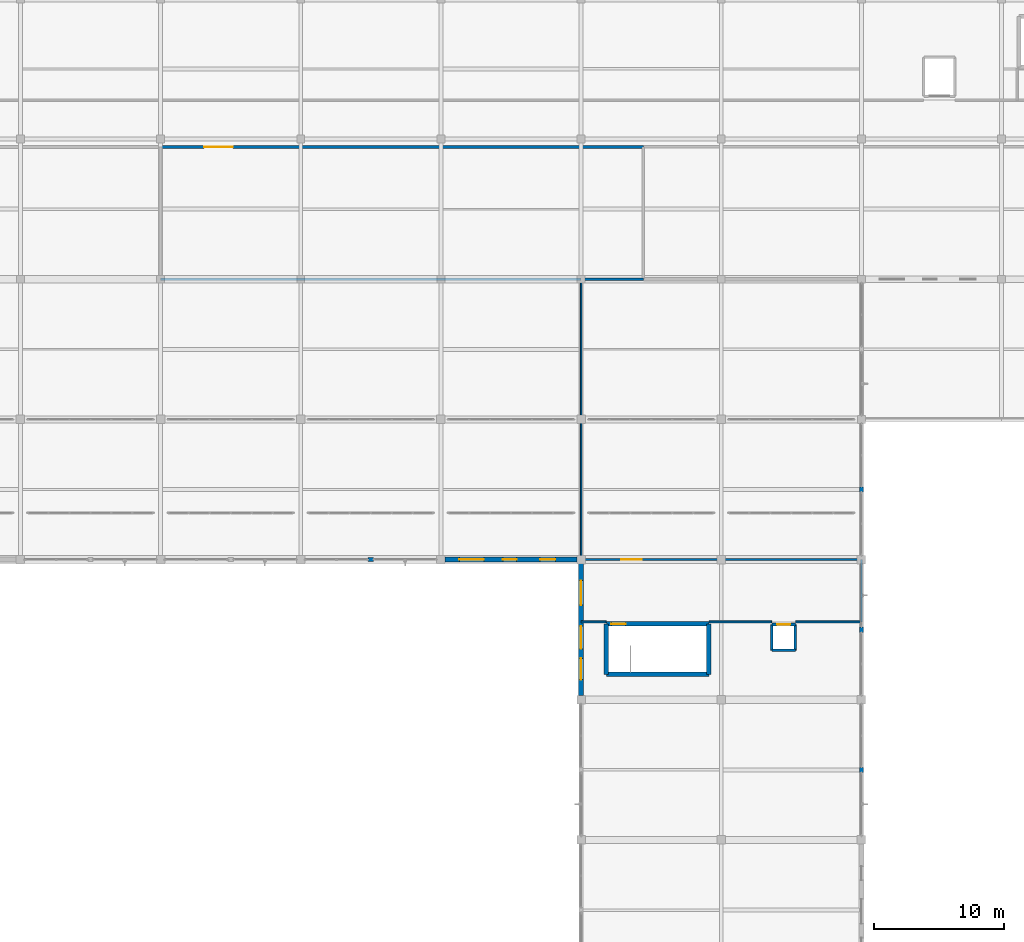
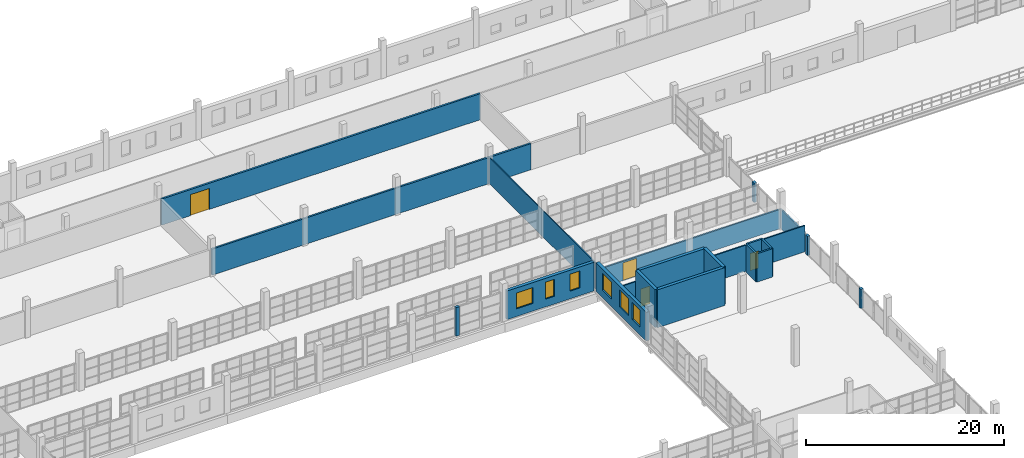
# One storey, part 114 of 142: 23 walls, 6 windows, 4 doors, 10 openings.
"""IFC4 building model written with IfcOpenShell, lengths in metres."""

from ifc_helpers import new_model, si_unit, direction, frame, frame_2d, origin, place, context, subcontext, project, spatial, rectangle, extrude, material, layer, layer_set, type_object, element, fill, save


model = new_model("IFC4")

# Units and contexts
model_context = context("Model", 3, precision=1e-05, world=origin(), true_north=direction((0.0, 1.0)))
body_context = subcontext(model_context, "Body", "Model", "MODEL_VIEW")
ifc_project = project(units=[si_unit("LENGTHUNIT", "METRE"), si_unit("AREAUNIT", "SQUARE_METRE"), si_unit("VOLUMEUNIT", "CUBIC_METRE"), si_unit("PLANEANGLEUNIT", "RADIAN"), si_unit("MASSUNIT", "GRAM", prefix="KILO")], contexts=[model_context])

# Site, building, storey
site_placement = place(None, origin())
site = spatial("IfcSite", under=ifc_project, at=site_placement, CompositionType="ELEMENT")
building_placement = place(site_placement, origin())
building = spatial("IfcBuilding", under=site, at=building_placement, Name="Zwinboog Wholesale Market", CompositionType="ELEMENT")
storey_placement = place(building_placement, frame((0.0, 0.0, 5.39990234375)))
storey = spatial("IfcBuildingStorey", under=building, at=storey_placement, Name="L01", CompositionType="ELEMENT", Elevation=5.39990234375)

# Wall, openings, windows
ifc_material_1 = material(Name="Precast concrete C45/55", Category="concrete")
ifc_layer_1 = layer(ifc_material_1, 0.3701171875)
ifc_layer_set_1 = layer_set([ifc_layer_1], Name="Precast concrete C45/55")
wall_type_1 = type_object("IfcWallType", Name="WT-EW-370", PredefinedType="STANDARD", material=ifc_layer_set_1)
wall_1_placement = place(storey_placement, frame((140.719970703125, 86.39990234375, 0.0), z_axis=(0.0, 0.0, 1.0), x_axis=(1.0, 0.0, 0.0)))
wall_1 = element("IfcWall", 1, at=wall_1_placement, inside=storey, type_object=wall_type_1, Name="EW-01 (WL-EW-L01-154)", PredefinedType="STANDARD", context=body_context, shape_type="SweptSolid", body=[
    extrude(rectangle(XDim=10.159912109375, YDim=0.3701171875, at=frame_2d((5.080078125, 0.0))), origin(), (0.0, 0.0, 1.0), 3.530029296875),
])
opening_1_placement = place(wall_1_placement, frame((1.10498046875, 0.0, 0.949951171875)))
opening_1 = element("IfcOpeningElement", 2, at=opening_1_placement, cuts=wall_1, Name="Opening WN-64", PredefinedType="OPENING", context=body_context, shape_type="SweptSolid", body=[
    extrude(rectangle(XDim=1.889892578125, YDim=1.949951171875, at=frame_2d((0.94482421875, 0.97509765625))), frame((0.0, 0.195068359375, 0.0), z_axis=(0.0, -1.0, 0.0), x_axis=(1.0, 0.0, 0.0)), (0.0, 0.0, 1.0), 0.39013671875),
])
opening_2_placement = place(wall_1_placement, frame((4.455078125, 0.0, 0.949951171875)))
opening_2 = element("IfcOpeningElement", 3, at=opening_2_placement, cuts=wall_1, Name="Opening WN-65", PredefinedType="OPENING", context=body_context, shape_type="SweptSolid", body=[
    extrude(rectangle(XDim=1.050048828125, YDim=2.10009765625, at=frame_2d((0.52490234375, 1.050048828125))), frame((0.0, 0.195068359375, 0.0), z_axis=(0.0, -1.0, 0.0), x_axis=(1.0, 0.0, 0.0)), (0.0, 0.0, 1.0), 0.39013671875),
])
opening_3_placement = place(wall_1_placement, frame((7.324951171875, 0.0, 0.949951171875)))
opening_3 = element("IfcOpeningElement", 4, at=opening_3_placement, cuts=wall_1, Name="Opening WN-66", PredefinedType="OPENING", context=body_context, shape_type="SweptSolid", body=[
    extrude(rectangle(XDim=1.169921875, YDim=2.10009765625, at=frame_2d((0.5849609375, 1.050048828125))), frame((0.0, 0.195068359375, 0.0), z_axis=(0.0, -1.0, 0.0), x_axis=(1.0, 0.0, 0.0)), (0.0, 0.0, 1.0), 0.39013671875),
])
ifc_material_2 = material(Name="Thermally broken aluminium low-e window", Category="aluminium")
window_type_1 = type_object("IfcWindowType", Name="WNT-64", PartitioningType="SINGLE_PANEL", PredefinedType="WINDOW", material=ifc_material_2)
window_1_placement = place(opening_1_placement, frame((1.889892578125, 0.0, 0.0), z_axis=(0.0, 0.0, 1.0), x_axis=(-1.0, 0.0, 0.0)))
window_1 = element("IfcWindow", 5, at=window_1_placement, inside=storey, type_object=window_type_1, Name="WN-64 (WIN-L01-0136)", OverallHeight=1.949951171875, OverallWidth=1.889892578125, PartitioningType="SINGLE_PANEL", PredefinedType="WINDOW", context=body_context, shape_type="SweptSolid", body=[
    extrude(rectangle(XDim=1.889892578125, YDim=1.949951171875, at=frame_2d((0.94482421875, 0.97509765625))), frame((0.0, 0.030029296875, 0.0), z_axis=(0.0, -1.0, 0.0), x_axis=(1.0, 0.0, 0.0)), (0.0, 0.0, 1.0), 0.06005859375),
])
fill(opening_1, window_1)
window_type_2 = type_object("IfcWindowType", Name="WNT-65", PartitioningType="SINGLE_PANEL", PredefinedType="WINDOW", material=ifc_material_2)
window_2_placement = place(opening_2_placement, frame((1.050048828125, 0.0, 0.0), z_axis=(0.0, 0.0, 1.0), x_axis=(-1.0, 0.0, 0.0)))
window_2 = element("IfcWindow", 6, at=window_2_placement, inside=storey, type_object=window_type_2, Name="WN-65 (WIN-L01-0137)", OverallHeight=2.10009765625, OverallWidth=1.050048828125, PartitioningType="SINGLE_PANEL", PredefinedType="WINDOW", context=body_context, shape_type="SweptSolid", body=[
    extrude(rectangle(XDim=1.050048828125, YDim=2.10009765625, at=frame_2d((0.52490234375, 1.050048828125))), frame((0.0, 0.030029296875, 0.0), z_axis=(0.0, -1.0, 0.0), x_axis=(1.0, 0.0, 0.0)), (0.0, 0.0, 1.0), 0.06005859375),
])
fill(opening_2, window_2)
window_type_3 = type_object("IfcWindowType", Name="WNT-66", PartitioningType="SINGLE_PANEL", PredefinedType="WINDOW", material=ifc_material_2)
window_3_placement = place(opening_3_placement, frame((1.169921875, 0.0, 0.0), z_axis=(0.0, 0.0, 1.0), x_axis=(-1.0, 0.0, 0.0)))
window_3 = element("IfcWindow", 7, at=window_3_placement, inside=storey, type_object=window_type_3, Name="WN-66 (WIN-L01-0138)", OverallHeight=2.10009765625, OverallWidth=1.169921875, PartitioningType="SINGLE_PANEL", PredefinedType="WINDOW", context=body_context, shape_type="SweptSolid", body=[
    extrude(rectangle(XDim=1.169921875, YDim=2.10009765625, at=frame_2d((0.5849609375, 1.050048828125))), frame((0.0, 0.030029296875, 0.0), z_axis=(0.0, -1.0, 0.0), x_axis=(1.0, 0.0, 0.0)), (0.0, 0.0, 1.0), 0.06005859375),
])
fill(opening_3, window_3)

ifc_layer_2 = layer(ifc_material_1, 0.389892578125)
ifc_layer_set_2 = layer_set([ifc_layer_2], Name="Precast concrete C45/55")
wall_type_2 = type_object("IfcWallType", Name="WT-EW-390", PredefinedType="STANDARD", material=ifc_layer_set_2)
wall_2_placement = place(storey_placement, frame((151.199951171875, 75.919921875, 0.0), z_axis=(0.0, 0.0, 1.0), x_axis=(0.0, 1.0, 0.0)))
wall_2 = element("IfcWall", 8, at=wall_2_placement, inside=storey, type_object=wall_type_2, Name="EW-02 (WL-EW-L01-159)", PredefinedType="STANDARD", context=body_context, shape_type="SweptSolid", body=[
    extrude(rectangle(XDim=10.16015625, YDim=0.389892578125, at=frame_2d((5.080078125, 0.0))), origin(), (0.0, 0.0, 1.0), 3.530029296875),
])
opening_4_placement = place(wall_2_placement, frame((1.22509765625, 0.0, 0.949951171875)))
opening_4 = element("IfcOpeningElement", 9, at=opening_4_placement, cuts=wall_2, Name="Opening WN-70", PredefinedType="OPENING", context=body_context, shape_type="SweptSolid", body=[
    extrude(rectangle(XDim=1.64990234375, YDim=2.10009765625, at=frame_2d((0.824951171875, 1.050048828125))), frame((0.0, 0.204833984375, 0.0), z_axis=(0.0, -1.0, 0.0), x_axis=(1.0, 0.0, 0.0)), (0.0, 0.0, 1.0), 0.409912109375),
])
opening_5_placement = place(wall_2_placement, frame((3.593017578125, 0.0, 0.949951171875)))
opening_5 = element("IfcOpeningElement", 10, at=opening_5_placement, cuts=wall_2, Name="Opening WN-71", PredefinedType="OPENING", context=body_context, shape_type="SweptSolid", body=[
    extrude(rectangle(XDim=1.77001953125, YDim=2.10009765625, at=frame_2d((0.885009765625, 1.050048828125))), frame((0.0, 0.204833984375, 0.0), z_axis=(0.0, -1.0, 0.0), x_axis=(1.0, 0.0, 0.0)), (0.0, 0.0, 1.0), 0.409912109375),
])
opening_6_placement = place(wall_2_placement, frame((6.965087890625, 0.0, 0.949951171875)))
opening_6 = element("IfcOpeningElement", 11, at=opening_6_placement, cuts=wall_2, Name="Opening WN-72", PredefinedType="OPENING", context=body_context, shape_type="SweptSolid", body=[
    extrude(rectangle(XDim=1.889892578125, YDim=2.10009765625, at=frame_2d((0.94482421875, 1.050048828125))), frame((0.0, 0.204833984375, 0.0), z_axis=(0.0, -1.0, 0.0), x_axis=(1.0, 0.0, 0.0)), (0.0, 0.0, 1.0), 0.409912109375),
])
window_type_4 = type_object("IfcWindowType", Name="WNT-70", PartitioningType="SINGLE_PANEL", PredefinedType="WINDOW", material=ifc_material_2)
window_4_placement = place(opening_4_placement, origin())
window_4 = element("IfcWindow", 12, at=window_4_placement, inside=storey, type_object=window_type_4, Name="WN-70 (WIN-L01-0142)", OverallHeight=2.10009765625, OverallWidth=1.64990234375, PartitioningType="SINGLE_PANEL", PredefinedType="WINDOW", context=body_context, shape_type="SweptSolid", body=[
    extrude(rectangle(XDim=1.64990234375, YDim=2.10009765625, at=frame_2d((0.824951171875, 1.050048828125))), frame((0.0, 0.030029296875, 0.0), z_axis=(0.0, -1.0, 0.0), x_axis=(1.0, 0.0, 0.0)), (0.0, 0.0, 1.0), 0.06005859375),
])
fill(opening_4, window_4)
window_type_5 = type_object("IfcWindowType", Name="WNT-71", PartitioningType="SINGLE_PANEL", PredefinedType="WINDOW", material=ifc_material_2)
window_5_placement = place(opening_5_placement, origin())
window_5 = element("IfcWindow", 13, at=window_5_placement, inside=storey, type_object=window_type_5, Name="WN-71 (WIN-L01-0143)", OverallHeight=2.10009765625, OverallWidth=1.77001953125, PartitioningType="SINGLE_PANEL", PredefinedType="WINDOW", context=body_context, shape_type="SweptSolid", body=[
    extrude(rectangle(XDim=1.77001953125, YDim=2.10009765625, at=frame_2d((0.885009765625, 1.050048828125))), frame((0.0, 0.030029296875, 0.0), z_axis=(0.0, -1.0, 0.0), x_axis=(1.0, 0.0, 0.0)), (0.0, 0.0, 1.0), 0.06005859375),
])
fill(opening_5, window_5)
window_type_6 = type_object("IfcWindowType", Name="WNT-72", PartitioningType="SINGLE_PANEL", PredefinedType="WINDOW", material=ifc_material_2)
window_6_placement = place(opening_6_placement, origin())
window_6 = element("IfcWindow", 14, at=window_6_placement, inside=storey, type_object=window_type_6, Name="WN-72 (WIN-L01-0144)", OverallHeight=2.10009765625, OverallWidth=1.889892578125, PartitioningType="SINGLE_PANEL", PredefinedType="WINDOW", context=body_context, shape_type="SweptSolid", body=[
    extrude(rectangle(XDim=1.889892578125, YDim=2.10009765625, at=frame_2d((0.94482421875, 1.050048828125))), frame((0.0, 0.030029296875, 0.0), z_axis=(0.0, -1.0, 0.0), x_axis=(1.0, 0.0, 0.0)), (0.0, 0.0, 1.0), 0.06005859375),
])
fill(opening_6, window_6)

# Walls
ifc_layer_3 = layer(ifc_material_1, 0.304931640625)
ifc_layer_set_3 = layer_set([ifc_layer_3], Name="Precast concrete C45/55")
wall_type_3 = type_object("IfcWallType", Name="WT-EW-305", PredefinedType="STANDARD", material=ifc_layer_set_3)
wall_3_placement = place(storey_placement, frame((134.800048828125, 86.39990234375, 0.0), z_axis=(0.0, 0.0, 1.0), x_axis=(1.0, 0.0, 0.0)))
element("IfcWall", 15, at=wall_3_placement, inside=storey, type_object=wall_type_3, Name="EW-07 (WL-PIER-L01-150)", PredefinedType="STANDARD", context=body_context, shape_type="SweptSolid", body=[
    extrude(rectangle(XDim=0.39990234375, YDim=0.304931640625, at=frame_2d((0.199951171875, 0.0))), origin(), (0.0, 0.0, 1.0), 3.530029296875),
])
for number, where, z_axis, x_axis, name in (
    (16, (172.800048828125, 70.0, 0.0), (0.0, 0.0, 1.0), (0.0, 1.0, 0.0), "EW-07 (WL-PIER-L01-165)"),
    (17, (172.800048828125, 80.800048828125, 0.0), (0.0, 0.0, 1.0), (0.0, 1.0, 0.0), "EW-07 (WL-PIER-L01-166)"),
    (18, (172.800048828125, 91.60009765625, 0.0), (0.0, 0.0, 1.0), (0.0, 1.0, 0.0), "EW-07 (WL-PIER-L01-167)"),
):
    element("IfcWall", number, at=place(storey_placement, frame(where, z_axis=z_axis, x_axis=x_axis)), inside=storey, type_object=wall_type_3, Name=name, PredefinedType="STANDARD", context=body_context, shape_type="SweptSolid", body=[
        extrude(rectangle(XDim=0.39990234375, YDim=0.304931640625, at=frame_2d((0.199951171875, 0.0))), origin(), (0.0, 0.0, 1.0), 2.380126953125),
    ])
ifc_material_3 = material(Name="Concrete C40/50", Category="concrete")
ifc_layer_4 = layer(ifc_material_3, 0.35009765625)
ifc_layer_set_4 = layer_set([ifc_layer_4], Name="Concrete C40/50")
wall_type_4 = type_object("IfcWallType", Name="WT-SW-350", PredefinedType="SHEAR", material=ifc_layer_set_4)
wall_4_placement = place(storey_placement, frame((153.14990234375, 77.550048828125, 0.0), z_axis=(0.0, 0.0, 1.0), x_axis=(1.0, 0.0, 0.0)))
element("IfcWall", 19, at=wall_4_placement, inside=storey, type_object=wall_type_4, Name="SW-04 (WL-SW-L01-053)", PredefinedType="SHEAR", context=body_context, shape_type="SweptSolid", body=[
    extrude(rectangle(XDim=7.900146484375, YDim=0.35009765625, at=frame_2d((3.9501953125, 0.0))), origin(), (0.0, 0.0, 1.0), 4.68017578125),
])

# Wall, opening, door
wall_5_placement = place(storey_placement, frame((153.14990234375, 81.449951171875, 0.0), z_axis=(0.0, 0.0, 1.0), x_axis=(1.0, 0.0, 0.0)))
wall_5 = element("IfcWall", 20, at=wall_5_placement, inside=storey, type_object=wall_type_4, Name="SW-04 (WL-SW-L01-054)", PredefinedType="SHEAR", context=body_context, shape_type="SweptSolid", body=[
    extrude(rectangle(XDim=7.900146484375, YDim=0.35009765625, at=frame_2d((3.9501953125, 0.0))), origin(), (0.0, 0.0, 1.0), 4.68017578125),
])
opening_7_placement = place(wall_5_placement, frame((0.3798828125, 0.0, 0.0)))
opening_7 = element("IfcOpeningElement", 21, at=opening_7_placement, cuts=wall_5, Name="Opening FD-0014", PredefinedType="OPENING", context=body_context, shape_type="SweptSolid", body=[
    extrude(rectangle(XDim=1.10009765625, YDim=2.199951171875, at=frame_2d((0.550048828125, 1.10009765625))), frame((0.0, 0.18505859375, 0.0), z_axis=(0.0, -1.0, 0.0), x_axis=(1.0, 0.0, 0.0)), (0.0, 0.0, 1.0), 0.3701171875),
])
ifc_material_4 = material(Name="Timber and powder-coated steel door leaf", Category="steel")
door_type_1 = type_object("IfcDoorType", Name="IDT-FD-02", OperationType="NOTDEFINED", PredefinedType="DOOR", material=ifc_material_4)
door_1_placement = place(opening_7_placement, origin())
door_1 = element("IfcDoor", 22, at=door_1_placement, inside=storey, type_object=door_type_1, Name="Core Fire Door FD-0014", OperationType="SINGLE_SWING_LEFT", OverallHeight=2.199951171875, OverallWidth=1.10009765625, PredefinedType="DOOR", context=body_context, shape_type="SweptSolid", body=[
    extrude(rectangle(XDim=1.10009765625, YDim=2.199951171875, at=frame_2d((0.550048828125, 1.10009765625))), frame((0.0, 0.02490234375, 0.0), z_axis=(0.0, -1.0, 0.0), x_axis=(1.0, 0.0, 0.0)), (0.0, 0.0, 1.0), 0.050048828125),
])
fill(opening_7, door_1)

# Walls
for number, where, z_axis, x_axis, name in (
    (23, (153.14990234375, 77.550048828125, 0.0), (0.0, 0.0, 1.0), (0.0, 1.0, 0.0), "SW-04 (WL-SW-L01-055)"),
    (24, (161.050048828125, 77.550048828125, 0.0), (0.0, 0.0, 1.0), (0.0, 1.0, 0.0), "SW-04 (WL-SW-L01-056)"),
):
    element("IfcWall", number, at=place(storey_placement, frame(where, z_axis=z_axis, x_axis=x_axis)), inside=storey, type_object=wall_type_4, Name=name, PredefinedType="SHEAR", context=body_context, shape_type="SweptSolid", body=[
        extrude(rectangle(XDim=3.89990234375, YDim=0.35009765625, at=frame_2d((1.949951171875, 0.0))), origin(), (0.0, 0.0, 1.0), 4.68017578125),
    ])
ifc_layer_5 = layer(ifc_material_1, 0.199951171875)
ifc_layer_set_5 = layer_set([ifc_layer_5], Name="Precast concrete C45/55")
wall_type_5 = type_object("IfcWallType", Name="WT-IW-200", PredefinedType="SOLIDWALL", material=ifc_layer_set_5)
wall_6_placement = place(storey_placement, frame((165.89990234375, 79.39990234375, 0.0), z_axis=(0.0, 0.0, 1.0), x_axis=(1.0, 0.0, 0.0)))
element("IfcWall", 25, at=wall_6_placement, inside=storey, type_object=wall_type_5, Name="IW-60 (WL-LSH-L01-197)", PredefinedType="SOLIDWALL", context=body_context, shape_type="SweptSolid", body=[
    extrude(rectangle(XDim=1.800048828125, YDim=0.199951171875, at=frame_2d((0.89990234375, 0.0))), origin(), (0.0, 0.0, 1.0), 3.5),
])

# Wall, opening, door
wall_7_placement = place(storey_placement, frame((165.89990234375, 81.39990234375, 0.0), z_axis=(0.0, 0.0, 1.0), x_axis=(1.0, 0.0, 0.0)))
wall_7 = element("IfcWall", 26, at=wall_7_placement, inside=storey, type_object=wall_type_5, Name="IW-60 (WL-LSH-L01-198)", PredefinedType="SOLIDWALL", context=body_context, shape_type="SweptSolid", body=[
    extrude(rectangle(XDim=1.800048828125, YDim=0.199951171875, at=frame_2d((0.89990234375, 0.0))), origin(), (0.0, 0.0, 1.0), 3.5),
])
opening_8_placement = place(wall_7_placement, frame((0.39990234375, 0.0, 0.0)))
opening_8 = element("IfcOpeningElement", 27, at=opening_8_placement, cuts=wall_7, Name="Opening LD-008", PredefinedType="OPENING", context=body_context, shape_type="SweptSolid", body=[
    extrude(rectangle(XDim=1.0, YDim=2.14990234375, at=frame_2d((0.5, 1.074951171875))), frame((0.0, 0.10986328125, 0.0), z_axis=(0.0, -1.0, 0.0), x_axis=(1.0, 0.0, 0.0)), (0.0, 0.0, 1.0), 0.219970703125),
])
door_type_2 = type_object("IfcDoorType", Name="IDT-LD-100", OperationType="DOUBLE_DOOR_SLIDING", PredefinedType="DOOR", material=ifc_material_4)
door_2_placement = place(opening_8_placement, origin())
door_2 = element("IfcDoor", 28, at=door_2_placement, inside=storey, type_object=door_type_2, Name="Lift Landing Door LD-008 (LP-04)", OperationType="DOUBLE_DOOR_SLIDING", OverallHeight=2.14990234375, OverallWidth=1.0, PredefinedType="DOOR", context=body_context, shape_type="SweptSolid", body=[
    extrude(rectangle(XDim=1.0, YDim=2.14990234375, at=frame_2d((0.5, 1.074951171875))), frame((0.0, 0.02490234375, 0.0), z_axis=(0.0, -1.0, 0.0), x_axis=(1.0, 0.0, 0.0)), (0.0, 0.0, 1.0), 0.050048828125),
])
fill(opening_8, door_2)

# Walls
for number, where, z_axis, x_axis, name in (
    (29, (165.89990234375, 79.39990234375, 0.0), (0.0, 0.0, 1.0), (0.0, 1.0, 0.0), "IW-60 (WL-LSH-L01-199)"),
    (30, (167.699951171875, 79.39990234375, 0.0), (0.0, 0.0, 1.0), (0.0, 1.0, 0.0), "IW-60 (WL-LSH-L01-200)"),
):
    element("IfcWall", number, at=place(storey_placement, frame(where, z_axis=z_axis, x_axis=x_axis)), inside=storey, type_object=wall_type_5, Name=name, PredefinedType="SOLIDWALL", context=body_context, shape_type="SweptSolid", body=[
        extrude(rectangle(XDim=2.0, YDim=0.199951171875, at=frame_2d((1.0, 0.0))), origin(), (0.0, 0.0, 1.0), 3.5),
    ])
ifc_layer_6 = layer(ifc_material_1, 0.215087890625)
ifc_layer_set_6 = layer_set([ifc_layer_6], Name="Precast concrete C45/55")
wall_type_6 = type_object("IfcWallType", Name="WT-IW-215", PredefinedType="PARTITIONING", material=ifc_layer_set_6)
wall_8_placement = place(storey_placement, frame((118.800048828125, 108.0, 0.0), z_axis=(0.0, 0.0, 1.0), x_axis=(1.0, 0.0, 0.0)))
element("IfcWall", 31, at=wall_8_placement, inside=storey, type_object=wall_type_6, Name="IW-02 (WL-IN-L01-0209)", PredefinedType="PARTITIONING", context=body_context, shape_type="SweptSolid", body=[
    extrude(rectangle(XDim=32.39990234375, YDim=0.215087890625, at=frame_2d((16.199951171875, 0.0))), origin(), (0.0, 0.0, 1.0), 3.22998046875),
])
wall_9_placement = place(storey_placement, frame((151.199951171875, 108.0, 0.0), z_axis=(0.0, 0.0, 1.0), x_axis=(1.0, 0.0, 0.0)))
element("IfcWall", 32, at=wall_9_placement, inside=storey, type_object=wall_type_6, Name="IW-02 (WL-IN-L01-0221)", PredefinedType="PARTITIONING", context=body_context, shape_type="SweptSolid", body=[
    extrude(rectangle(XDim=4.800048828125, YDim=0.215087890625, at=frame_2d((2.39990234375, 0.0))), origin(), (0.0, 0.0, 1.0), 3.22998046875),
])

# Wall, opening, door
ifc_material_5 = material(Name="Insulated PIR cold-store sandwich panel")
ifc_layer_7 = layer(ifc_material_5, 0.221923828125)
ifc_layer_set_7 = layer_set([ifc_layer_7], Name="Insulated PIR cold-store sandwich panel")
wall_type_7 = type_object("IfcWallType", Name="WT-CS-222", PredefinedType="PARTITIONING", material=ifc_layer_set_7)
wall_10_placement = place(storey_placement, frame((118.800048828125, 118.199951171875, 0.0), z_axis=(0.0, 0.0, 1.0), x_axis=(1.0, 0.0, 0.0)))
wall_10 = element("IfcWall", 33, at=wall_10_placement, inside=storey, type_object=wall_type_7, Name="PW-CS1 (WL-IN-L01-0141)", PredefinedType="PARTITIONING", context=body_context, shape_type="SweptSolid", body=[
    extrude(rectangle(XDim=37.199951171875, YDim=0.221923828125, at=frame_2d((18.60009765625, 0.0))), origin(), (0.0, 0.0, 1.0), 3.22998046875),
])
opening_9_placement = place(wall_10_placement, frame((3.35400390625, 0.0, 0.0)))
opening_9 = element("IfcOpeningElement", 34, at=opening_9_placement, cuts=wall_10, Name="Opening IDF-0068", PredefinedType="OPENING", context=body_context, shape_type="SweptSolid", body=[
    extrude(rectangle(XDim=2.219970703125, YDim=2.60009765625, at=frame_2d((1.10986328125, 1.300048828125))), frame((0.0, 0.120849609375, 0.0), z_axis=(0.0, -1.0, 0.0), x_axis=(1.0, 0.0, 0.0)), (0.0, 0.0, 1.0), 0.241943359375),
])
door_type_3 = type_object("IfcDoorType", Name="IDT-CS-02", OperationType="SLIDING_TO_RIGHT", PredefinedType="DOOR", material=ifc_material_4)
door_3_placement = place(opening_9_placement, origin())
door_3 = element("IfcDoor", 35, at=door_3_placement, inside=storey, type_object=door_type_3, Name="Interior Door IDF-0068", OperationType="SLIDING_TO_RIGHT", OverallHeight=2.60009765625, OverallWidth=2.219970703125, PredefinedType="DOOR", context=body_context, shape_type="SweptSolid", body=[
    extrude(rectangle(XDim=2.219970703125, YDim=2.60009765625, at=frame_2d((1.10986328125, 1.300048828125))), frame((0.0, 0.02490234375, 0.0), z_axis=(0.0, -1.0, 0.0), x_axis=(1.0, 0.0, 0.0)), (0.0, 0.0, 1.0), 0.050048828125),
])
fill(opening_9, door_3)

# Walls
ifc_material_6 = material(Name="Gypsum acoustic stud partition")
ifc_layer_8 = layer(ifc_material_6, 0.10791015625)
ifc_layer_set_8 = layer_set([ifc_layer_8], Name="Gypsum acoustic stud partition")
wall_type_8 = type_object("IfcWallType", Name="WT-PT-108", PredefinedType="PARTITIONING", material=ifc_layer_set_8)
wall_11_placement = place(storey_placement, frame((151.199951171875, 86.39990234375, 0.0), z_axis=(0.0, 0.0, 1.0), x_axis=(0.0, 1.0, 0.0)))
element("IfcWall", 36, at=wall_11_placement, inside=storey, type_object=wall_type_8, Name="PW-01 (WL-IN-L01-0220)", PredefinedType="PARTITIONING", context=body_context, shape_type="SweptSolid", body=[
    extrude(rectangle(XDim=21.60009765625, YDim=0.10791015625, at=frame_2d((10.800048828125, 0.0))), origin(), (0.0, 0.0, 1.0), 3.22998046875),
])
ifc_material_7 = material(Name="Fire-rated corridor stud partition")
ifc_layer_9 = layer(ifc_material_7, 0.154052734375)
ifc_layer_set_9 = layer_set([ifc_layer_9], Name="Fire-rated corridor stud partition")
wall_type_9 = type_object("IfcWallType", Name="WT-PT-154", PredefinedType="PARTITIONING", material=ifc_layer_set_9)
wall_12_placement = place(storey_placement, frame((151.199951171875, 81.60009765625, 0.0), z_axis=(0.0, 0.0, 1.0), x_axis=(1.0, 0.0, 0.0)))
element("IfcWall", 37, at=wall_12_placement, inside=storey, type_object=wall_type_9, Name="PW-04 (WL-IN-L01-0217)", PredefinedType="PARTITIONING", context=body_context, shape_type="SweptSolid", body=[
    extrude(rectangle(XDim=1.929931640625, YDim=0.154052734375, at=frame_2d((0.96484375, 0.0))), origin(), (0.0, 0.0, 1.0), 3.22998046875),
])
wall_13_placement = place(storey_placement, frame((161.070068359375, 81.60009765625, 0.0), z_axis=(0.0, 0.0, 1.0), x_axis=(1.0, 0.0, 0.0)))
element("IfcWall", 38, at=wall_13_placement, inside=storey, type_object=wall_type_9, Name="PW-04 (WL-IN-L01-0218)", PredefinedType="PARTITIONING", context=body_context, shape_type="SweptSolid", body=[
    extrude(rectangle(XDim=4.809814453125, YDim=0.154052734375, at=frame_2d((2.40478515625, 0.0))), origin(), (0.0, 0.0, 1.0), 3.22998046875),
])
wall_14_placement = place(storey_placement, frame((167.719970703125, 81.60009765625, 0.0), z_axis=(0.0, 0.0, 1.0), x_axis=(1.0, 0.0, 0.0)))
element("IfcWall", 39, at=wall_14_placement, inside=storey, type_object=wall_type_9, Name="PW-04 (WL-IN-L01-0219)", PredefinedType="PARTITIONING", context=body_context, shape_type="SweptSolid", body=[
    extrude(rectangle(XDim=5.080078125, YDim=0.154052734375, at=frame_2d((2.5400390625, 0.0))), origin(), (0.0, 0.0, 1.0), 3.22998046875),
])

# Wall, opening, door
ifc_material_8 = material(Name="Laboratory acoustic partition")
ifc_layer_10 = layer(ifc_material_8, 0.16796875)
ifc_layer_set_10 = layer_set([ifc_layer_10], Name="Laboratory acoustic partition")
wall_type_10 = type_object("IfcWallType", Name="WT-PT-168", PredefinedType="PARTITIONING", material=ifc_layer_set_10)
wall_15_placement = place(storey_placement, frame((151.199951171875, 86.39990234375, 0.0), z_axis=(0.0, 0.0, 1.0), x_axis=(1.0, 0.0, 0.0)))
wall_15 = element("IfcWall", 40, at=wall_15_placement, inside=storey, type_object=wall_type_10, Name="PW-05 (WL-IN-L01-0146)", PredefinedType="PARTITIONING", context=body_context, shape_type="SweptSolid", body=[
    extrude(rectangle(XDim=21.60009765625, YDim=0.16796875, at=frame_2d((10.800048828125, 0.0))), origin(), (0.0, 0.0, 1.0), 2.380126953125),
])
opening_10_placement = place(wall_15_placement, frame((3.087890625, 0.0, 0.0)))
opening_10 = element("IfcOpeningElement", 41, at=opening_10_placement, cuts=wall_15, Name="Opening IDF-0073", PredefinedType="OPENING", context=body_context, shape_type="SweptSolid", body=[
    extrude(rectangle(XDim=1.60009765625, YDim=2.199951171875, at=frame_2d((0.800048828125, 1.10009765625))), frame((0.0, 0.093994140625, 0.0), z_axis=(0.0, -1.0, 0.0), x_axis=(1.0, 0.0, 0.0)), (0.0, 0.0, 1.0), 0.18798828125),
])
door_type_4 = type_object("IfcDoorType", Name="IDT-FD-03", OperationType="DOUBLE_DOOR_SINGLE_SWING", PredefinedType="DOOR", material=ifc_material_4)
door_4_placement = place(opening_10_placement, origin())
door_4 = element("IfcDoor", 42, at=door_4_placement, inside=storey, type_object=door_type_4, Name="Interior Door IDF-0073", OperationType="DOUBLE_DOOR_SINGLE_SWING", OverallHeight=2.199951171875, OverallWidth=1.60009765625, PredefinedType="DOOR", context=body_context, shape_type="SweptSolid", body=[
    extrude(rectangle(XDim=1.60009765625, YDim=2.199951171875, at=frame_2d((0.800048828125, 1.10009765625))), frame((0.0, 0.02490234375, 0.0), z_axis=(0.0, -1.0, 0.0), x_axis=(1.0, 0.0, 0.0)), (0.0, 0.0, 1.0), 0.050048828125),
])
fill(opening_10, door_4)

# Wall
wall_16_placement = place(storey_placement, frame((172.800048828125, 81.60009765625, 0.0), z_axis=(0.0, 0.0, 1.0), x_axis=(0.0, 1.0, 0.0)))
element("IfcWall", 43, at=wall_16_placement, inside=storey, type_object=wall_type_10, Name="PW-05 (WL-IN-L01-0230)", PredefinedType="PARTITIONING", context=body_context, shape_type="SweptSolid", body=[
    extrude(rectangle(XDim=4.7998046875, YDim=0.16796875, at=frame_2d((2.39990234375, 0.0))), origin(), (0.0, 0.0, 1.0), 2.380126953125),
])

save(model, "model.ifc")
